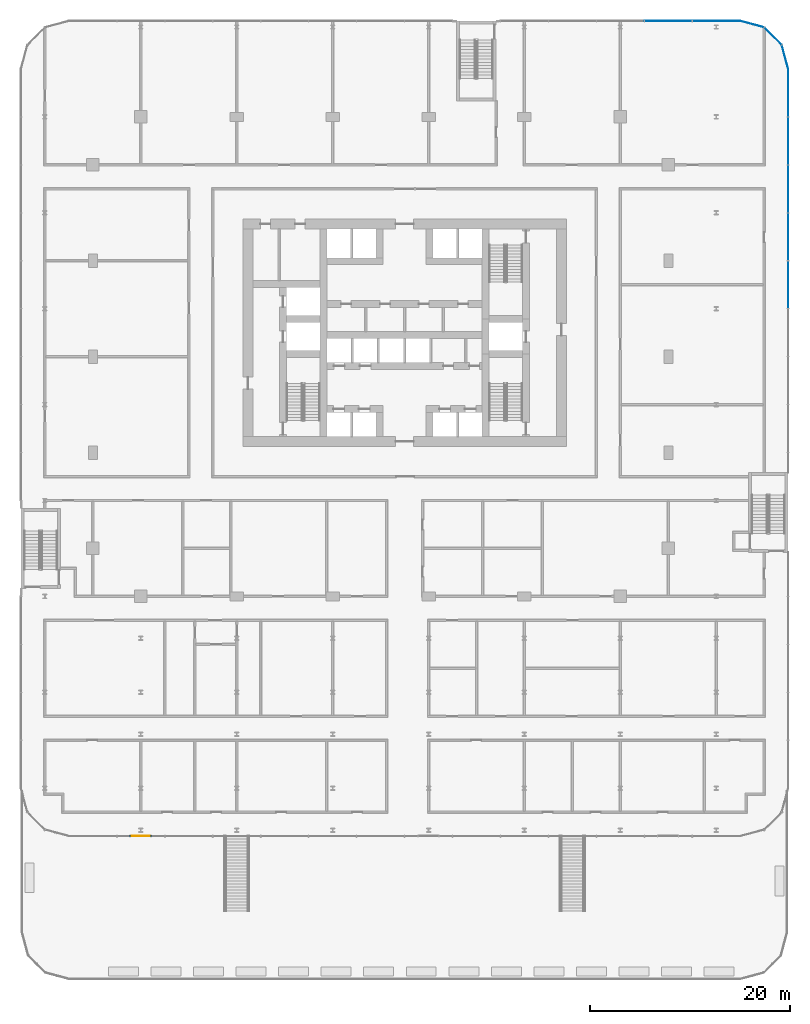
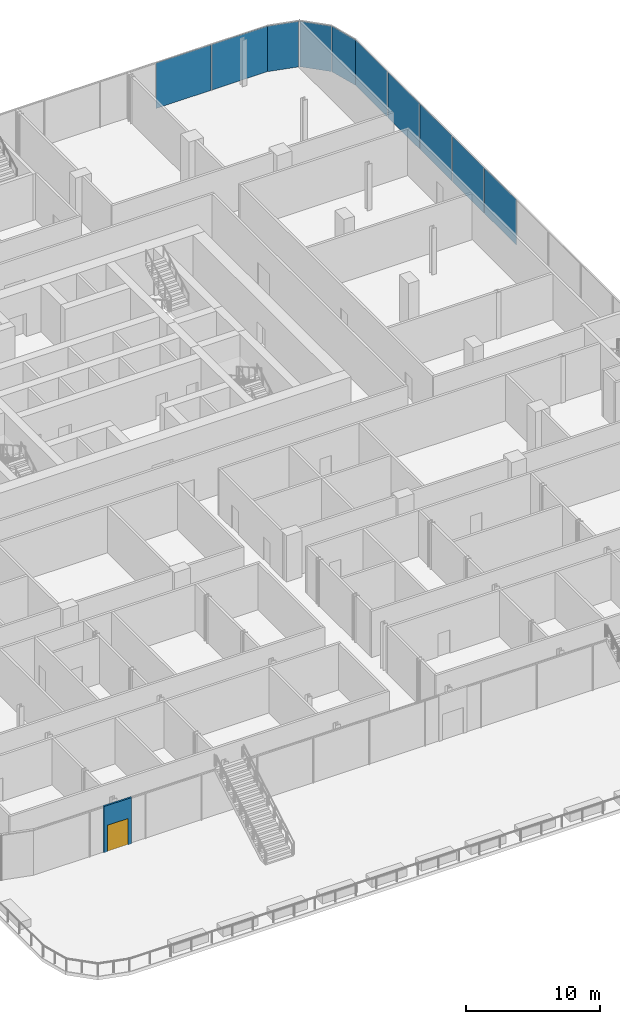
# One storey, part 28 of 43: 10 plates, 1 door, 1 wall, 1 opening, 3 elements without a shape of their own.
"""IFC4 building model written with IfcOpenShell, lengths in metres."""

import ifcopenshell
import ifcopenshell.guid

model = None  # the IFC model being written
_history = None  # IfcOwnerHistory: only IFC2X3 demands one
_inside = {}  # id of a spatial element -> (the spatial element, [elements in it])
_under = {}  # id of a project, library or spatial element -> (it, [spatial elements below it])
_declared = {}  # id of a project -> (the project, [libraries it declares])
_typed = {}  # id of a type object -> (the type object, [elements of that type])
_made_of = {}  # id of a material, layer set ... -> (it, [elements and type objects made of it])


def new_model(schema):
    """Start an empty IFC model of exactly this schema.

    Asked for "IFC4X3", IfcOpenShell would pick the latest addendum, in which some entities
    have other attributes; the version numbers below select the first issue.
    IFC2X3 requires an IfcOwnerHistory on every rooted entity: one is made here for all.
    """
    global model, _history
    if schema == "IFC4X3":
        model = ifcopenshell.file(schema_version=(4, 3, 0, 0))
    else:
        model = ifcopenshell.file(schema=schema)
    _inside.clear()
    _under.clear()
    _declared.clear()
    _typed.clear()
    _made_of.clear()
    _history = None
    if model.schema == "IFC2X3":
        org = make("IfcOrganization", Name="unknown")
        user = make(
            "IfcPersonAndOrganization",
            ThePerson=make("IfcPerson", FamilyName="unknown"),
            TheOrganization=org,
        )
        app = make(
            "IfcApplication",
            ApplicationDeveloper=org,
            Version="unknown",
            ApplicationFullName="unknown",
            ApplicationIdentifier="unknown",
        )
        _history = make(
            "IfcOwnerHistory",
            OwningUser=user,
            OwningApplication=app,
            ChangeAction="ADDED",
            CreationDate=0,
        )
    return model


def make(cls, **values):
    """One entity of the class cls with the attributes given. An attribute that is None is left unset."""
    return model.create_entity(
        cls, **{name: value for name, value in values.items() if value is not None}
    )


def rooted(cls, **values):
    """An entity with a GlobalId (a new one), such as an element, a storey or a relation."""
    return make(cls, GlobalId=ifcopenshell.guid.new(), OwnerHistory=_history, **values)


def si_unit(unit_type, name, prefix=None):
    """IfcSIUnit, for example si_unit("LENGTHUNIT", "METRE", prefix="MILLI")."""
    return make("IfcSIUnit", UnitType=unit_type, Prefix=prefix, Name=name)


def assignment(units):
    """IfcUnitAssignment: the units of a project."""
    return None if units is None else make("IfcUnitAssignment", Units=units)


def point(xyz):
    """IfcCartesianPoint."""
    return None if xyz is None else make("IfcCartesianPoint", Coordinates=xyz)


def direction(xyz):
    """IfcDirection."""
    return None if xyz is None else make("IfcDirection", DirectionRatios=xyz)


def frame(location, z_axis=None, x_axis=None):
    """IfcAxis2Placement3D, a coordinate frame: its origin and axes. An axis left out is left unset."""
    return make(
        "IfcAxis2Placement3D",
        Location=point(location),
        Axis=direction(z_axis),
        RefDirection=direction(x_axis),
    )


def frame_2d(location, x_axis=None):
    """IfcAxis2Placement2D, a coordinate frame in the plane: its origin and x axis."""
    return make(
        "IfcAxis2Placement2D", Location=point(location), RefDirection=direction(x_axis)
    )


def origin():
    """The frame at (0, 0, 0) with its axes left unset."""
    return frame((0.0, 0.0, 0.0))


def origin_2d():
    """The frame at (0, 0) in the plane with its x axis left unset."""
    return frame_2d((0.0, 0.0))


def place(relative_to, where):
    """IfcLocalPlacement: puts the frame where relative to a parent placement (None: the world)."""
    return make(
        "IfcLocalPlacement", PlacementRelTo=relative_to, RelativePlacement=where
    )


def context(
    kind, dimensions, precision=None, world=None, true_north=None, identifier=None
):
    """IfcGeometricRepresentationContext, for example the 3D "Model" context."""
    return make(
        "IfcGeometricRepresentationContext",
        ContextIdentifier=identifier,
        ContextType=kind,
        CoordinateSpaceDimension=dimensions,
        Precision=precision,
        WorldCoordinateSystem=world,
        TrueNorth=true_north,
    )


def subcontext(parent, identifier, kind, view, scale=None):
    """IfcGeometricRepresentationSubContext, for example "Body" below "Model"."""
    return make(
        "IfcGeometricRepresentationSubContext",
        ContextIdentifier=identifier,
        ContextType=kind,
        ParentContext=parent,
        TargetScale=scale,
        TargetView=view,
    )


def project(units=None, contexts=None):
    """IfcProject with its units and contexts."""
    return rooted(
        "IfcProject",
        Name="project",
        RepresentationContexts=contexts,
        UnitsInContext=assignment(units),
    )


def spatial(cls, under=None, at=None, **own):
    """A site, building, storey or space (cls), placed at a placement, below another one or the project."""
    s = rooted(cls, ObjectPlacement=at, **own)
    if under is not None:
        _under.setdefault(under.id(), (under, []))[1].append(s)
    return s


def profile(cls, at=None, kind="AREA", **sizes):
    """A parametric profile (cls). Its sizes go by their IFC names, for example OverallWidth=200.0."""
    return make(cls, ProfileType=kind, Position=at, **sizes)


def rectangle(**sizes):
    """IfcRectangleProfileDef."""
    return profile("IfcRectangleProfileDef", **sizes)


def extrude(swept, where, along, depth):
    """IfcExtrudedAreaSolid: the profile swept, set in the frame where, extruded along a direction by depth."""
    return make(
        "IfcExtrudedAreaSolid",
        SweptArea=swept,
        Position=where,
        ExtrudedDirection=direction(along),
        Depth=depth,
    )


def shape(context_of_items, identifier, shape_type, items):
    """IfcShapeRepresentation: the items that make up one representation, for example the "Body"."""
    return make(
        "IfcShapeRepresentation",
        ContextOfItems=context_of_items,
        RepresentationIdentifier=identifier,
        RepresentationType=shape_type,
        Items=items,
    )


def material(Name=None, Category=None):
    """IfcMaterial."""
    return make("IfcMaterial", Name=Name, Category=Category)


def layer(
    of_material, thickness, ventilated=None, Name=None, Category=None, Priority=None
):
    """IfcMaterialLayer: one layer of a wall or slab, of a material (None: an air gap)."""
    return make(
        "IfcMaterialLayer",
        Material=of_material,
        LayerThickness=thickness,
        IsVentilated=ventilated,
        Name=Name,
        Category=Category,
        Priority=Priority,
    )


def layer_set(layers, Name=None):
    """IfcMaterialLayerSet."""
    return make("IfcMaterialLayerSet", MaterialLayers=layers, LayerSetName=Name)


def made_of(thing, what):
    """Note that an element or type object is made of a material, layer set ...; save() writes the relation."""
    if what is not None:
        _made_of.setdefault(what.id(), (what, []))[1].append(thing)
    return thing


def type_object(cls, material=None, **own):
    """A type object (cls), such as IfcWallType, which elements share."""
    return made_of(rooted(cls, **own), material)


def element(
    cls,
    number,
    at=None,
    inside=None,
    cuts=None,
    type_object=None,
    material=None,
    context=None,
    identifier="Body",
    shape_type=None,
    held_by="IfcProductDefinitionShape",
    body=None,
    shapes=None,
    **own,
):
    """One element of the class cls, such as IfcWall. Its Tag is "e" and its number.

    at: its placement. inside: the storey or other place that contains it. cuts: it is an
    opening in that element (IfcRelVoidsElement). A single representation is given by context,
    identifier, shape_type and body (its items); several are given by shapes. held_by: the class
    of the entity that holds the representations. save() writes the other relations.
    """
    e = rooted(cls, Tag="e%d" % number, ObjectPlacement=at, **own)
    if body is not None:
        shapes = [shape(context, identifier, shape_type, body)]
    if shapes is not None:
        e.Representation = make(held_by, Representations=shapes)
    if inside is not None:
        _inside.setdefault(inside.id(), (inside, []))[1].append(e)
    if cuts is not None:
        rooted(
            "IfcRelVoidsElement", RelatingBuildingElement=cuts, RelatedOpeningElement=e
        )
    if type_object is not None:
        _typed.setdefault(type_object.id(), (type_object, []))[1].append(e)
    return made_of(e, material)


def fill(opening, filler):
    """IfcRelFillsElement: the door or window that sits in an opening."""
    return rooted(
        "IfcRelFillsElement",
        RelatingOpeningElement=opening,
        RelatedBuildingElement=filler,
    )


def aggregate(whole, parts):
    """IfcRelAggregates: a whole, such as a stair, and the parts it consists of."""
    return rooted("IfcRelAggregates", RelatingObject=whole, RelatedObjects=parts)


def save(model, path):
    """Write the relations noted so far, then the file.

    IfcRelAggregates (storeys below a building ...), IfcRelContainedInSpatialStructure (elements
    in a storey), IfcRelDefinesByType, IfcRelAssociatesMaterial and IfcRelDeclares: one each for
    every whole, place, type object, material and project.
    """
    for whole, parts in _under.values():
        aggregate(whole, parts)
    for where, things in _inside.values():
        rooted(
            "IfcRelContainedInSpatialStructure",
            RelatedElements=things,
            RelatingStructure=where,
        )
    for kind, things in _typed.values():
        rooted("IfcRelDefinesByType", RelatedObjects=things, RelatingType=kind)
    for what, things in _made_of.values():
        rooted("IfcRelAssociatesMaterial", RelatedObjects=things, RelatingMaterial=what)
    for by, libraries in _declared.values():
        rooted("IfcRelDeclares", RelatingContext=by, RelatedDefinitions=libraries)
    model.write(path)


model = new_model("IFC4")

# Units and contexts
model_context = context("Model", 3, precision=1e-05, world=origin(), true_north=direction((0.0, 1.0)))
body_context = subcontext(model_context, "Body", "Model", "MODEL_VIEW")
ifc_project = project(units=[si_unit("LENGTHUNIT", "METRE"), si_unit("AREAUNIT", "SQUARE_METRE"), si_unit("VOLUMEUNIT", "CUBIC_METRE"), si_unit("PLANEANGLEUNIT", "RADIAN"), si_unit("MASSUNIT", "GRAM", prefix="KILO")], contexts=[model_context])

# Site, building, storey
site_placement = place(None, origin())
site = spatial("IfcSite", under=ifc_project, at=site_placement, CompositionType="ELEMENT")
building_placement = place(site_placement, origin())
building = spatial("IfcBuilding", under=site, at=building_placement, Name="Madar Terraces", CompositionType="ELEMENT")
storey_placement = place(building_placement, frame((0.0, 0.0, 10.5)))
storey = spatial("IfcBuildingStorey", under=building, at=storey_placement, Name="L02", CompositionType="ELEMENT", Elevation=10.5)

# Curtain wall, plates
ifc_material_1 = material(Name="Glass, clear low-iron, with black aluminium frame", Category="aluminium")
ifc_layer_1 = layer(ifc_material_1, 0.199951171875)
ifc_layer_set_1 = layer_set([ifc_layer_1], Name="Facade curtain wall, shopfront glazing")
curtain_wall_type = type_object("IfcCurtainWallType", Name="Facade curtain wall, shopfront glazing", PredefinedType="NOTDEFINED", material=ifc_layer_set_1)
curtain_wall_1_placement = place(storey_placement, origin())
curtain_wall_1 = element("IfcCurtainWall", 1, at=curtain_wall_1_placement, inside=storey, type_object=curtain_wall_type, Name="Outer skin curtain wall east bay 1", PredefinedType="NOTDEFINED")
ifc_material_2 = material(Name="Glass, ceramic frit dark grey", Category="glass")
ifc_layer_2 = layer(ifc_material_2, 0.028076171875)
ifc_layer_set_2 = layer_set([ifc_layer_2], Name="Facade glass panel 28")
plate_type = type_object("IfcPlateType", Name="Facade glass panel 28", PredefinedType="CURTAIN_PANEL", material=ifc_layer_set_2)
plate_1_placement = place(storey_placement, frame((69.60009765625, 31.199951171875, 0.0), z_axis=(0.0, 0.0, 1.0), x_axis=(0.0, 1.0, 0.0)))
plate_1 = element("IfcPlate", 2, at=plate_1_placement, type_object=plate_type, Name="Panel 10", PredefinedType="CURTAIN_PANEL", context=body_context, shape_type="SweptSolid", body=[
    extrude(rectangle(XDim=4.739990234375, YDim=0.028076171875, at=origin_2d()), origin(), (0.0, 0.0, 1.0), 4.139892578125),
])
plate_2_placement = place(storey_placement, frame((69.60009765625, 36.0, 0.0), z_axis=(0.0, 0.0, 1.0), x_axis=(0.0, 1.0, 0.0)))
plate_2 = element("IfcPlate", 3, at=plate_2_placement, type_object=plate_type, Name="Panel 11", PredefinedType="CURTAIN_PANEL", context=body_context, shape_type="SweptSolid", body=[
    extrude(rectangle(XDim=4.739990234375, YDim=0.028076171875, at=origin_2d()), origin(), (0.0, 0.0, 1.0), 4.139892578125),
])
plate_3_placement = place(storey_placement, frame((69.60009765625, 40.800048828125, 0.0), z_axis=(0.0, 0.0, 1.0), x_axis=(0.0, 1.0, 0.0)))
plate_3 = element("IfcPlate", 4, at=plate_3_placement, type_object=plate_type, Name="Panel 12", PredefinedType="CURTAIN_PANEL", context=body_context, shape_type="SweptSolid", body=[
    extrude(rectangle(XDim=4.739990234375, YDim=0.028076171875, at=origin_2d()), origin(), (0.0, 0.0, 1.0), 4.139892578125),
])
plate_4_placement = place(storey_placement, frame((69.60009765625, 45.60009765625, 0.0), z_axis=(0.0, 0.0, 1.0), x_axis=(0.0, 1.0, 0.0)))
plate_4 = element("IfcPlate", 5, at=plate_4_placement, type_object=plate_type, Name="Panel 13", PredefinedType="CURTAIN_PANEL", context=body_context, shape_type="SweptSolid", body=[
    extrude(rectangle(XDim=4.739990234375, YDim=0.028076171875, at=origin_2d()), origin(), (0.0, 0.0, 1.0), 4.139892578125),
])
plate_5_placement = place(storey_placement, frame((69.60009765625, 50.4150390625, 0.0), z_axis=(0.0, 0.0, 1.0), x_axis=(0.0, 1.0, 0.0)))
plate_5 = element("IfcPlate", 6, at=plate_5_placement, type_object=plate_type, Name="Panel 14", PredefinedType="CURTAIN_PANEL", context=body_context, shape_type="SweptSolid", body=[
    extrude(rectangle(XDim=4.77001953125, YDim=0.028076171875, at=origin_2d()), origin(), (0.0, 0.0, 1.0), 4.139892578125),
])
aggregate(curtain_wall_1, [plate_1, plate_2, plate_3, plate_4, plate_5])

curtain_wall_2_placement = place(storey_placement, origin())
curtain_wall_2 = element("IfcCurtainWall", 7, at=curtain_wall_2_placement, inside=storey, type_object=curtain_wall_type, Name="Outer skin curtain wall north bay 1", PredefinedType="NOTDEFINED")
plate_6_placement = place(storey_placement, frame((62.4150390625, 57.60009765625, 0.0), z_axis=(0.0, 0.0, 1.0), x_axis=(-1.0, 0.0, 0.0)))
plate_6 = element("IfcPlate", 8, at=plate_6_placement, type_object=plate_type, Name="Panel 1", PredefinedType="CURTAIN_PANEL", context=body_context, shape_type="SweptSolid", body=[
    extrude(rectangle(XDim=4.77001953125, YDim=0.028076171875, at=origin_2d()), origin(), (0.0, 0.0, 1.0), 4.139892578125),
])
plate_7_placement = place(storey_placement, frame((57.60009765625, 57.60009765625, 0.0), z_axis=(0.0, 0.0, 1.0), x_axis=(-1.0, 0.0, 0.0)))
plate_7 = element("IfcPlate", 9, at=plate_7_placement, type_object=plate_type, Name="Panel 2", PredefinedType="CURTAIN_PANEL", context=body_context, shape_type="SweptSolid", body=[
    extrude(rectangle(XDim=4.739990234375, YDim=0.028076171875, at=origin_2d()), origin(), (0.0, 0.0, 1.0), 4.139892578125),
])
aggregate(curtain_wall_2, [plate_6, plate_7])

curtain_wall_3_placement = place(storey_placement, origin())
curtain_wall_3 = element("IfcCurtainWall", 10, at=curtain_wall_3_placement, inside=storey, type_object=curtain_wall_type, Name="Outer skin curtain wall north-east corner", PredefinedType="NOTDEFINED")
plate_8_placement = place(storey_placement, frame((69.2822265625, 53.985595703125, 0.0), z_axis=(0.0, 0.0, 1.0), x_axis=(-0.258819021888, 0.965925832509, 0.0)))
plate_8 = element("IfcPlate", 11, at=plate_8_placement, type_object=plate_type, Name="Panel 1", PredefinedType="CURTAIN_PANEL", context=body_context, shape_type="SweptSolid", body=[
    extrude(rectangle(XDim=2.45458984375, YDim=0.028076171875, at=origin_2d()), origin(), (0.0, 0.0, 1.0), 4.139892578125),
])
plate_9_placement = place(storey_placement, frame((68.078369140625, 56.078369140625, 0.0), z_axis=(0.0, 0.0, 1.0), x_axis=(-0.707106781187, 0.707106781187, 0.0)))
plate_9 = element("IfcPlate", 12, at=plate_9_placement, type_object=plate_type, Name="Panel 2", PredefinedType="CURTAIN_PANEL", context=body_context, shape_type="SweptSolid", body=[
    extrude(rectangle(XDim=2.424560546875, YDim=0.028076171875, at=origin_2d()), origin(), (0.0, 0.0, 1.0), 4.139892578125),
])
plate_10_placement = place(storey_placement, frame((65.985595703125, 57.2822265625, 0.0), z_axis=(0.0, 0.0, 1.0), x_axis=(-0.965925832509, 0.258819021888, 0.0)))
plate_10 = element("IfcPlate", 13, at=plate_10_placement, type_object=plate_type, Name="Panel 3", PredefinedType="CURTAIN_PANEL", context=body_context, shape_type="SweptSolid", body=[
    extrude(rectangle(XDim=2.45458984375, YDim=0.028076171875, at=origin_2d()), origin(), (0.0, 0.0, 1.0), 4.139892578125),
])
aggregate(curtain_wall_3, [plate_8, plate_9, plate_10])

# Wall, opening, door
ifc_material_3 = material(Name="Aluminium composite panel, black, over insulated backing", Category="aluminium")
ifc_layer_3 = layer(ifc_material_3, 0.14990234375)
ifc_layer_set_3 = layer_set([ifc_layer_3], Name="Facade bay panel 150")
wall_type = type_object("IfcWallType", Name="Facade bay panel 150", PredefinedType="SOLIDWALL", material=ifc_layer_set_3)
wall_placement = place(storey_placement, frame((3.60009765625, -24.0, 0.0), z_axis=(0.0, 0.0, 1.0), x_axis=(1.0, 0.0, 0.0)))
wall = element("IfcWall", 14, at=wall_placement, inside=storey, type_object=wall_type, Name="Facade bay panel", PredefinedType="SOLIDWALL", context=body_context, shape_type="SweptSolid", body=[
    extrude(rectangle(XDim=2.39990234375, YDim=0.14990234375, at=frame_2d((1.199951171875, 0.0))), origin(), (0.0, 0.0, 1.0), 4.199951171875),
])
opening_placement = place(wall_placement, frame((0.300048828125, 0.0, 0.0)))
opening = element("IfcOpeningElement", 15, at=opening_placement, cuts=wall, Name="Opening ED1", PredefinedType="OPENING", context=body_context, shape_type="SweptSolid", body=[
    extrude(rectangle(XDim=1.800048828125, YDim=2.39990234375, at=frame_2d((0.89990234375, 1.199951171875))), frame((0.0, 0.0849609375, 0.0), z_axis=(0.0, -1.0, 0.0), x_axis=(1.0, 0.0, 0.0)), (0.0, 0.0, 1.0), 0.169921875),
])
ifc_material_4 = material(Name="Glass, clear, with black aluminium frame", Category="aluminium")
door_type = type_object("IfcDoorType", Name="Balcony and terrace sliding door 1800 x 2400", OperationType="SLIDING_TO_LEFT", PredefinedType="DOOR", material=ifc_material_4)
door_placement = place(opening_placement, origin())
door = element("IfcDoor", 16, at=door_placement, inside=storey, type_object=door_type, Name="Balcony door", OperationType="SLIDING_TO_LEFT", OverallHeight=2.39990234375, OverallWidth=1.800048828125, PredefinedType="DOOR", context=body_context, shape_type="SweptSolid", body=[
    extrude(rectangle(XDim=1.800048828125, YDim=2.39990234375, at=frame_2d((0.89990234375, 1.199951171875))), frame((0.0, 0.02490234375, 0.0), z_axis=(0.0, -1.0, 0.0), x_axis=(1.0, 0.0, 0.0)), (0.0, 0.0, 1.0), 0.050048828125),
])
fill(opening, door)

save(model, "model.ifc")
